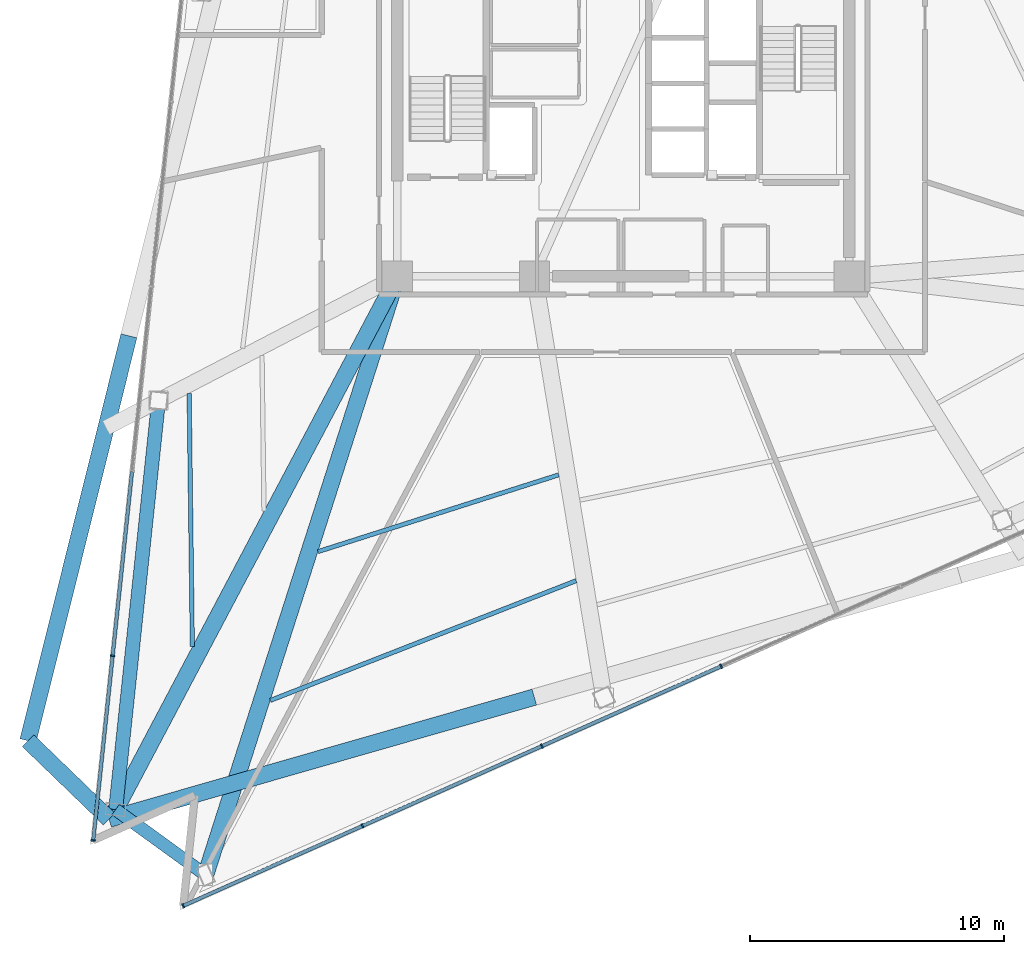
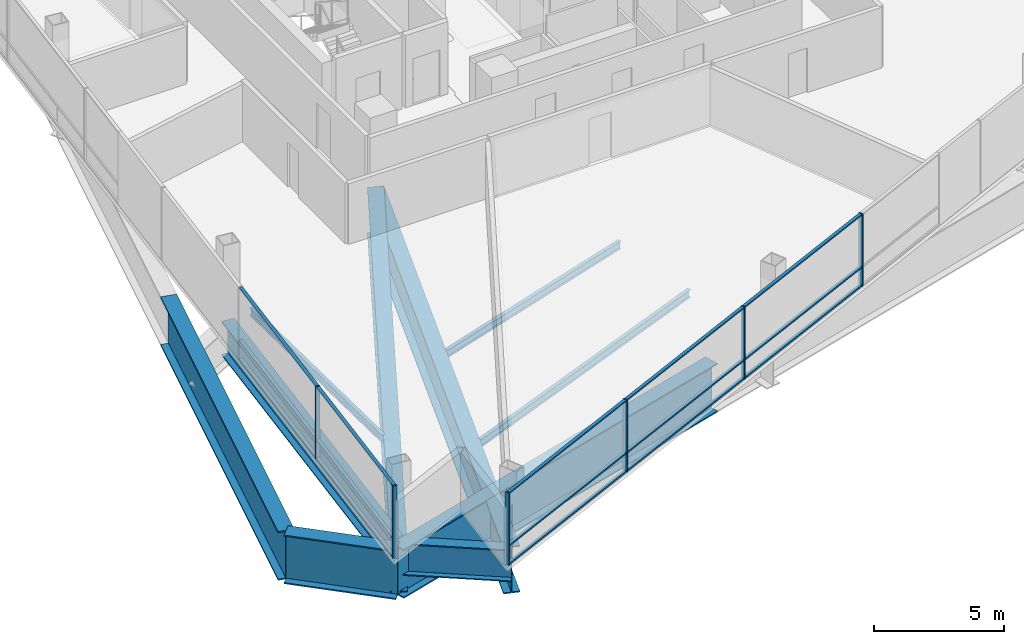
# One storey, part 2 of 17: 21 members, 10 beams, 2 elements without a shape of their own.
"""IFC4 building model written with IfcOpenShell, lengths in metres."""

from ifc_helpers import new_model, si_unit, direction, frame, origin, origin_2d, place, context, subcontext, project, spatial, rectangle, i_section, extrude, material, layer, layer_set, material_profile, profile_set, type_object, element, aggregate, save


model = new_model("IFC4")

# Units and contexts
model_context = context("Model", 3, precision=1e-05, world=origin(), true_north=direction((0.0, 1.0)))
body_context = subcontext(model_context, "Body", "Model", "MODEL_VIEW")
ifc_project = project(units=[si_unit("LENGTHUNIT", "METRE"), si_unit("AREAUNIT", "SQUARE_METRE"), si_unit("VOLUMEUNIT", "CUBIC_METRE"), si_unit("PLANEANGLEUNIT", "RADIAN"), si_unit("MASSUNIT", "GRAM", prefix="KILO")], contexts=[model_context])

# Site, building, storey
site_placement = place(None, origin())
site = spatial("IfcSite", under=ifc_project, at=site_placement, CompositionType="ELEMENT")
building_placement = place(site_placement, origin())
building = spatial("IfcBuilding", under=site, at=building_placement, Name="Tharavind Bronze Gate", CompositionType="ELEMENT")
storey_placement = place(building_placement, frame((0.0, 0.0, 112.449951171875)))
storey = spatial("IfcBuildingStorey", under=building, at=storey_placement, Name="L28", CompositionType="ELEMENT", Elevation=112.449951171875)

# Curtain wall, members
ifc_material_1 = material(Name="Anodised Bronze Aluminium", Category="aluminium")
ifc_layer = layer(ifc_material_1, 0.219970703125)
ifc_layer_set = layer_set([ifc_layer], Name="Anodised Bronze Aluminium")
curtain_wall_type = type_object("IfcCurtainWallType", Name="UNITISED CURTAIN WALL LOWER OFFICE", PredefinedType="USERDEFINED", material=ifc_layer_set)
curtain_wall_1_placement = place(storey_placement, origin())
curtain_wall_1 = element("IfcCurtainWall", 1, at=curtain_wall_1_placement, inside=storey, type_object=curtain_wall_type, Name="L28 unitised curtain wall lower office CW-L28-S1", ObjectType="UNITISED CURTAIN WALL", PredefinedType="USERDEFINED")
member_type_1 = type_object("IfcMemberType", Name="CURTAIN WALL BRONZE MULLION 65X180", PredefinedType="MULLION", material=ifc_material_1)
member_1_placement = place(storey_placement, frame((-20.1142578125, -22.5380859375, 0.0), z_axis=(0.0, 0.0, 1.0), x_axis=(-0.104526727499, -0.994522077803, 0.0)))
member_1 = element("IfcMember", 2, at=member_1_placement, type_object=member_type_1, Name="CW-L28-S1 mullion 7", PredefinedType="MULLION", context=body_context, shape_type="SweptSolid", body=[
    extrude(rectangle(XDim=0.06494140625, YDim=0.179931640625, at=origin_2d()), origin(), (0.0, 0.0, 1.0), 3.409912109375),
])
member_2_placement = place(storey_placement, frame((-20.878662109375, -29.811279296875, 0.0), z_axis=(0.0, 0.0, 1.0), x_axis=(-0.104526727499, -0.994522077803, 0.0)))
member_2 = element("IfcMember", 3, at=member_2_placement, type_object=member_type_1, Name="CW-L28-S1 mullion 8", PredefinedType="MULLION", context=body_context, shape_type="SweptSolid", body=[
    extrude(rectangle(XDim=0.06494140625, YDim=0.179931640625, at=origin_2d()), origin(), (0.0, 0.0, 1.0), 3.409912109375),
])

curtain_wall_2_placement = place(storey_placement, origin())
curtain_wall_2 = element("IfcCurtainWall", 4, at=curtain_wall_2_placement, inside=storey, type_object=curtain_wall_type, Name="L28 unitised curtain wall lower office CW-L28-S2", ObjectType="UNITISED CURTAIN WALL", PredefinedType="USERDEFINED")
member_3_placement = place(storey_placement, frame((-17.335205078125, -32.3857421875, 0.0), z_axis=(0.0, 0.0, 1.0), x_axis=(0.913545457643, 0.406736643076, 0.0)))
member_3 = element("IfcMember", 5, at=member_3_placement, type_object=member_type_1, Name="CW-L28-S2 mullion 1", PredefinedType="MULLION", context=body_context, shape_type="SweptSolid", body=[
    extrude(rectangle(XDim=0.06494140625, YDim=0.179931640625, at=origin_2d()), origin(), (0.0, 0.0, 1.0), 3.409912109375),
])
member_4_placement = place(storey_placement, frame((-10.273193359375, -29.241455078125, 0.0), z_axis=(0.0, 0.0, 1.0), x_axis=(0.913545457643, 0.406736643076, 0.0)))
member_4 = element("IfcMember", 6, at=member_4_placement, type_object=member_type_1, Name="CW-L28-S2 mullion 2", PredefinedType="MULLION", context=body_context, shape_type="SweptSolid", body=[
    extrude(rectangle(XDim=0.06494140625, YDim=0.179931640625, at=origin_2d()), origin(), (0.0, 0.0, 1.0), 3.409912109375),
])
member_5_placement = place(storey_placement, frame((-3.2109375, -26.097412109375, 0.0), z_axis=(0.0, 0.0, 1.0), x_axis=(0.913545457643, 0.406736643076, 0.0)))
member_5 = element("IfcMember", 7, at=member_5_placement, type_object=member_type_1, Name="CW-L28-S2 mullion 3", PredefinedType="MULLION", context=body_context, shape_type="SweptSolid", body=[
    extrude(rectangle(XDim=0.06494140625, YDim=0.179931640625, at=origin_2d()), origin(), (0.0, 0.0, 1.0), 3.409912109375),
])
member_6_placement = place(storey_placement, frame((3.851318359375, -22.952880859375, 0.0), z_axis=(0.0, 0.0, 1.0), x_axis=(0.913545457643, 0.406736643076, 0.0)))
member_6 = element("IfcMember", 8, at=member_6_placement, type_object=member_type_1, Name="CW-L28-S2 mullion 4", PredefinedType="MULLION", context=body_context, shape_type="SweptSolid", body=[
    extrude(rectangle(XDim=0.06494140625, YDim=0.179931640625, at=origin_2d()), origin(), (0.0, 0.0, 1.0), 3.409912109375),
])

# Member
member_type_2 = type_object("IfcMemberType", Name="CURTAIN WALL BRONZE TRANSOM 65X140", PredefinedType="USERDEFINED", material=ifc_material_1)
member_7_placement = place(storey_placement, frame((-19.73193359375, -18.9013671875, 0.0), z_axis=(0.0, 0.0, 1.0), x_axis=(-0.104526727499, -0.994522077803, 0.0)))
member_7 = element("IfcMember", 9, at=member_7_placement, type_object=member_type_2, Name="CW-L28-S1 transom TB6", ObjectType="TRANSOM", PredefinedType="USERDEFINED", context=body_context, shape_type="SweptSolid", body=[
    extrude(rectangle(XDim=7.26025390625, YDim=0.139892578125, at=origin_2d()), origin(), (0.0, 0.0, 1.0), 0.06494140625),
])

member_8_placement = place(storey_placement, frame((-19.73193359375, -18.9013671875, 0.86767578125), z_axis=(0.0, 0.0, 1.0), x_axis=(-0.104526727499, -0.994522077803, 0.0)))
member_8 = element("IfcMember", 10, at=member_8_placement, type_object=member_type_2, Name="CW-L28-S1 transom TS6", ObjectType="TRANSOM", PredefinedType="USERDEFINED", context=body_context, shape_type="SweptSolid", body=[
    extrude(rectangle(XDim=7.26025390625, YDim=0.139892578125, at=origin_2d()), origin(), (0.0, 0.0, 1.0), 0.06494140625),
])

member_9_placement = place(storey_placement, frame((-19.73193359375, -18.9013671875, 3.344970703125), z_axis=(0.0, 0.0, 1.0), x_axis=(-0.104526727499, -0.994522077803, 0.0)))
member_9 = element("IfcMember", 11, at=member_9_placement, type_object=member_type_2, Name="CW-L28-S1 transom TT6", ObjectType="TRANSOM", PredefinedType="USERDEFINED", context=body_context, shape_type="SweptSolid", body=[
    extrude(rectangle(XDim=7.26025390625, YDim=0.139892578125, at=origin_2d()), origin(), (0.0, 0.0, 1.0), 0.06494140625),
])

member_10_placement = place(storey_placement, frame((-20.49658203125, -26.1748046875, 0.0), z_axis=(0.0, 0.0, 1.0), x_axis=(-0.104526727499, -0.994522077803, 0.0)))
member_10 = element("IfcMember", 12, at=member_10_placement, type_object=member_type_2, Name="CW-L28-S1 transom TB7", ObjectType="TRANSOM", PredefinedType="USERDEFINED", context=body_context, shape_type="SweptSolid", body=[
    extrude(rectangle(XDim=7.26025390625, YDim=0.139892578125, at=origin_2d()), origin(), (0.0, 0.0, 1.0), 0.06494140625),
])

member_11_placement = place(storey_placement, frame((-20.49658203125, -26.1748046875, 0.86767578125), z_axis=(0.0, 0.0, 1.0), x_axis=(-0.104526727499, -0.994522077803, 0.0)))
member_11 = element("IfcMember", 13, at=member_11_placement, type_object=member_type_2, Name="CW-L28-S1 transom TS7", ObjectType="TRANSOM", PredefinedType="USERDEFINED", context=body_context, shape_type="SweptSolid", body=[
    extrude(rectangle(XDim=7.26025390625, YDim=0.139892578125, at=origin_2d()), origin(), (0.0, 0.0, 1.0), 0.06494140625),
])

member_12_placement = place(storey_placement, frame((-20.49658203125, -26.1748046875, 3.344970703125), z_axis=(0.0, 0.0, 1.0), x_axis=(-0.104526727499, -0.994522077803, 0.0)))
member_12 = element("IfcMember", 14, at=member_12_placement, type_object=member_type_2, Name="CW-L28-S1 transom TT7", ObjectType="TRANSOM", PredefinedType="USERDEFINED", context=body_context, shape_type="SweptSolid", body=[
    extrude(rectangle(XDim=7.26025390625, YDim=0.139892578125, at=origin_2d()), origin(), (0.0, 0.0, 1.0), 0.06494140625),
])

aggregate(curtain_wall_1, [member_1, member_2, member_7, member_8, member_9, member_10, member_11, member_12])

member_13_placement = place(storey_placement, frame((-13.80419921875, -30.813720703125, 0.0), z_axis=(0.0, 0.0, 1.0), x_axis=(0.913545457643, 0.406736643076, 0.0)))
member_13 = element("IfcMember", 15, at=member_13_placement, type_object=member_type_2, Name="CW-L28-S2 transom TB1", ObjectType="TRANSOM", PredefinedType="USERDEFINED", context=body_context, shape_type="SweptSolid", body=[
    extrude(rectangle(XDim=7.677490234375, YDim=0.139892578125, at=origin_2d()), origin(), (0.0, 0.0, 1.0), 0.06494140625),
])

member_14_placement = place(storey_placement, frame((-13.80419921875, -30.813720703125, 0.86767578125), z_axis=(0.0, 0.0, 1.0), x_axis=(0.913545457643, 0.406736643076, 0.0)))
member_14 = element("IfcMember", 16, at=member_14_placement, type_object=member_type_2, Name="CW-L28-S2 transom TS1", ObjectType="TRANSOM", PredefinedType="USERDEFINED", context=body_context, shape_type="SweptSolid", body=[
    extrude(rectangle(XDim=7.677490234375, YDim=0.139892578125, at=origin_2d()), origin(), (0.0, 0.0, 1.0), 0.06494140625),
])

member_15_placement = place(storey_placement, frame((-13.80419921875, -30.813720703125, 3.344970703125), z_axis=(0.0, 0.0, 1.0), x_axis=(0.913545457643, 0.406736643076, 0.0)))
member_15 = element("IfcMember", 17, at=member_15_placement, type_object=member_type_2, Name="CW-L28-S2 transom TT1", ObjectType="TRANSOM", PredefinedType="USERDEFINED", context=body_context, shape_type="SweptSolid", body=[
    extrude(rectangle(XDim=7.677490234375, YDim=0.139892578125, at=origin_2d()), origin(), (0.0, 0.0, 1.0), 0.06494140625),
])

member_16_placement = place(storey_placement, frame((-6.741943359375, -27.66943359375, 0.0), z_axis=(0.0, 0.0, 1.0), x_axis=(0.913545457643, 0.406736643076, 0.0)))
member_16 = element("IfcMember", 18, at=member_16_placement, type_object=member_type_2, Name="CW-L28-S2 transom TB2", ObjectType="TRANSOM", PredefinedType="USERDEFINED", context=body_context, shape_type="SweptSolid", body=[
    extrude(rectangle(XDim=7.677490234375, YDim=0.139892578125, at=origin_2d()), origin(), (0.0, 0.0, 1.0), 0.06494140625),
])

member_17_placement = place(storey_placement, frame((-6.741943359375, -27.66943359375, 0.86767578125), z_axis=(0.0, 0.0, 1.0), x_axis=(0.913545457643, 0.406736643076, 0.0)))
member_17 = element("IfcMember", 19, at=member_17_placement, type_object=member_type_2, Name="CW-L28-S2 transom TS2", ObjectType="TRANSOM", PredefinedType="USERDEFINED", context=body_context, shape_type="SweptSolid", body=[
    extrude(rectangle(XDim=7.677490234375, YDim=0.139892578125, at=origin_2d()), origin(), (0.0, 0.0, 1.0), 0.06494140625),
])

member_18_placement = place(storey_placement, frame((-6.741943359375, -27.66943359375, 3.344970703125), z_axis=(0.0, 0.0, 1.0), x_axis=(0.913545457643, 0.406736643076, 0.0)))
member_18 = element("IfcMember", 20, at=member_18_placement, type_object=member_type_2, Name="CW-L28-S2 transom TT2", ObjectType="TRANSOM", PredefinedType="USERDEFINED", context=body_context, shape_type="SweptSolid", body=[
    extrude(rectangle(XDim=7.677490234375, YDim=0.139892578125, at=origin_2d()), origin(), (0.0, 0.0, 1.0), 0.06494140625),
])

member_19_placement = place(storey_placement, frame((0.3203125, -24.525146484375, 0.0), z_axis=(0.0, 0.0, 1.0), x_axis=(0.913545457643, 0.406736643076, 0.0)))
member_19 = element("IfcMember", 21, at=member_19_placement, type_object=member_type_2, Name="CW-L28-S2 transom TB3", ObjectType="TRANSOM", PredefinedType="USERDEFINED", context=body_context, shape_type="SweptSolid", body=[
    extrude(rectangle(XDim=7.677490234375, YDim=0.139892578125, at=origin_2d()), origin(), (0.0, 0.0, 1.0), 0.06494140625),
])

member_20_placement = place(storey_placement, frame((0.3203125, -24.525146484375, 0.86767578125), z_axis=(0.0, 0.0, 1.0), x_axis=(0.913545457643, 0.406736643076, 0.0)))
member_20 = element("IfcMember", 22, at=member_20_placement, type_object=member_type_2, Name="CW-L28-S2 transom TS3", ObjectType="TRANSOM", PredefinedType="USERDEFINED", context=body_context, shape_type="SweptSolid", body=[
    extrude(rectangle(XDim=7.677490234375, YDim=0.139892578125, at=origin_2d()), origin(), (0.0, 0.0, 1.0), 0.06494140625),
])

member_21_placement = place(storey_placement, frame((0.3203125, -24.525146484375, 3.344970703125), z_axis=(0.0, 0.0, 1.0), x_axis=(0.913545457643, 0.406736643076, 0.0)))
member_21 = element("IfcMember", 23, at=member_21_placement, type_object=member_type_2, Name="CW-L28-S2 transom TT3", ObjectType="TRANSOM", PredefinedType="USERDEFINED", context=body_context, shape_type="SweptSolid", body=[
    extrude(rectangle(XDim=7.677490234375, YDim=0.139892578125, at=origin_2d()), origin(), (0.0, 0.0, 1.0), 0.06494140625),
])

aggregate(curtain_wall_2, [member_3, member_4, member_5, member_6, member_13, member_14, member_15, member_16, member_17, member_18, member_19, member_20, member_21])

# Beams
ifc_material_2 = material(Name="Steel S355", Category="steel")
ifc_material_profile_1 = material_profile(ifc_material_2, i_section(OverallWidth=0.169921875, OverallDepth=0.360107421875, WebThickness=0.008056640625, FlangeThickness=0.0126953125, at=origin_2d()), Name="IPE360")
ifc_profile_set_1 = profile_set([ifc_material_profile_1], Name="Steel S355")
beam_type_1 = type_object("IfcBeamType", Name="SECONDARY FLOOR JOIST IPE360", PredefinedType="JOIST", material=ifc_profile_set_1)
beam_1_placement = place(storey_placement, frame((-17.100830078125, -12.204833984375, -0.369873046875), z_axis=(0.012553769481, -0.999921198331, 0.0), x_axis=(0.999921198331, 0.012553769481, 0.0)))
element("IfcBeam", 24, at=beam_1_placement, inside=storey, type_object=beam_type_1, Name="L28 secondary floor joist ipe360 BM-L28-JSTB03", PredefinedType="JOIST", context=body_context, shape_type="SweptSolid", body=[
    extrude(i_section(OverallWidth=0.169921875, OverallDepth=0.360107421875, WebThickness=0.008056640625, FlangeThickness=0.0126953125, at=origin_2d()), origin(), (0.0, 0.0, 1.0), 9.9765625),
])
beam_2_placement = place(storey_placement, frame((-12.028564453125, -18.438720703125, -0.369873046875), z_axis=(0.952718749561, 0.30385355722, 0.0), x_axis=(-0.30385355722, 0.952718749561, 0.0)))
element("IfcBeam", 25, at=beam_2_placement, inside=storey, type_object=beam_type_1, Name="L28 secondary floor joist ipe360 BM-L28-JSTA05", PredefinedType="JOIST", context=body_context, shape_type="SweptSolid", body=[
    extrude(i_section(OverallWidth=0.169921875, OverallDepth=0.360107421875, WebThickness=0.008056640625, FlangeThickness=0.0126953125, at=origin_2d()), origin(), (0.0, 0.0, 1.0), 9.95361328125),
])
beam_3_placement = place(storey_placement, frame((-13.906982421875, -24.300048828125, -0.369873046875), z_axis=(0.931177899403, 0.364565110321, 0.0), x_axis=(-0.364565110321, 0.931177899403, 0.0)))
element("IfcBeam", 26, at=beam_3_placement, inside=storey, type_object=beam_type_1, Name="L28 secondary floor joist ipe360 BM-L28-JSTB05", PredefinedType="JOIST", context=body_context, shape_type="SweptSolid", body=[
    extrude(i_section(OverallWidth=0.169921875, OverallDepth=0.360107421875, WebThickness=0.008056640625, FlangeThickness=0.0126953125, at=origin_2d()), origin(), (0.0, 0.0, 1.0), 12.938720703125),
])
ifc_material_3 = material(Name="Steel S460", Category="steel")
ifc_material_profile_2 = material_profile(ifc_material_3, i_section(OverallWidth=0.5, OverallDepth=1.5, WebThickness=0.028076171875, FlangeThickness=0.050048828125, at=origin_2d()), Name="PG1500X500")
ifc_profile_set_2 = profile_set([ifc_material_profile_2], Name="Steel S460")
beam_type_2 = type_object("IfcBeamType", Name="TRANSFER GIRDER 1500X500", PredefinedType="USERDEFINED", material=ifc_profile_set_2)
beam_4_placement = place(storey_placement, frame((-19.9970703125, -28.597900390625, -0.93994140625), z_axis=(0.809018008275, -0.587783856777, 0.0), x_axis=(0.587783856777, 0.809018008275, 0.0)))
element("IfcBeam", 27, at=beam_4_placement, inside=storey, type_object=beam_type_2, Name="L28 transfer girder 1500x500 BM-L28-URG04", ObjectType="TRANSFER GIRDER", PredefinedType="USERDEFINED", context=body_context, shape_type="SweptSolid", body=[
    extrude(i_section(OverallWidth=0.5, OverallDepth=1.5, WebThickness=0.028076171875, FlangeThickness=0.050048828125, at=origin_2d()), origin(), (0.0, 0.0, 1.0), 4.3798828125),
])
ifc_material_profile_3 = material_profile(ifc_material_3, i_section(OverallWidth=0.550048828125, OverallDepth=1.60009765625, WebThickness=0.030029296875, FlangeThickness=0.050048828125, at=origin_2d()), Name="PG1600X550")
ifc_profile_set_3 = profile_set([ifc_material_profile_3], Name="Steel S460")
beam_type_3 = type_object("IfcBeamType", Name="TRANSFER GIRDER 1600X550", PredefinedType="USERDEFINED", material=ifc_profile_set_3)
beam_5_placement = place(storey_placement, frame((-18.303955078125, -12.488037109375, -0.989990234375), z_axis=(-0.104522380175, -0.994522534708, 0.0), x_axis=(0.994522534708, -0.104522380175, 0.0)))
element("IfcBeam", 28, at=beam_5_placement, inside=storey, type_object=beam_type_3, Name="L28 transfer girder 1600x550 BM-L28-URG03", ObjectType="TRANSFER GIRDER", PredefinedType="USERDEFINED", context=body_context, shape_type="SweptSolid", body=[
    extrude(i_section(OverallWidth=0.550048828125, OverallDepth=1.60009765625, WebThickness=0.030029296875, FlangeThickness=0.050048828125, at=origin_2d()), origin(), (0.0, 0.0, 1.0), 16.198486328125),
])
ifc_material_profile_4 = material_profile(ifc_material_3, i_section(OverallWidth=0.64990234375, OverallDepth=2.199951171875, WebThickness=0.035888671875, FlangeThickness=0.054931640625, at=origin_2d()), Name="PG2200X650")
ifc_profile_set_4 = profile_set([ifc_material_profile_4], Name="Steel S460")
beam_type_4 = type_object("IfcBeamType", Name="TRANSFER GIRDER 2200X650", PredefinedType="USERDEFINED", material=ifc_profile_set_4)
beam_6_placement = place(storey_placement, frame((-8.89990234375, -7.60009765625, -1.2900390625), z_axis=(-0.46725302058, -0.884123642235, 0.0), x_axis=(0.884123642235, -0.46725302058, 0.0)))
element("IfcBeam", 29, at=beam_6_placement, inside=storey, type_object=beam_type_4, Name="L28 transfer girder 2200x650 BM-L28-XFR04", ObjectType="TRANSFER GIRDER", PredefinedType="USERDEFINED", context=body_context, shape_type="SweptSolid", body=[
    extrude(i_section(OverallWidth=0.64990234375, OverallDepth=2.199951171875, WebThickness=0.035888671875, FlangeThickness=0.054931640625, at=origin_2d()), origin(), (0.0, 0.0, 1.0), 24.146484375),
])
beam_7_placement = place(storey_placement, frame((-8.89990234375, -7.60009765625, -1.2900390625), z_axis=(-0.305163640021, -0.952299927969, 0.0), x_axis=(0.952299927969, -0.305163640021, 0.0)))
element("IfcBeam", 30, at=beam_7_placement, inside=storey, type_object=beam_type_4, Name="L28 transfer girder 2200x650 BM-L28-XFR05", ObjectType="TRANSFER GIRDER", PredefinedType="USERDEFINED", context=body_context, shape_type="SweptSolid", body=[
    extrude(i_section(OverallWidth=0.64990234375, OverallDepth=2.199951171875, WebThickness=0.035888671875, FlangeThickness=0.054931640625, at=origin_2d()), origin(), (0.0, 0.0, 1.0), 24.7529296875),
])
ifc_material_profile_5 = material_profile(ifc_material_3, i_section(OverallWidth=0.64990234375, OverallDepth=2.300048828125, WebThickness=0.035888671875, FlangeThickness=0.05810546875, at=origin_2d()), Name="PG2300X650")
ifc_profile_set_5 = profile_set([ifc_material_profile_5], Name="Steel S460")
beam_type_5 = type_object("IfcBeamType", Name="TRANSFER GIRDER 2300X650", PredefinedType="USERDEFINED", material=ifc_profile_set_5)
beam_8_placement = place(storey_placement, frame((-19.4716796875, -9.93896484375, -1.33984375), z_axis=(-0.24191686251, -0.970296981152, 0.0), x_axis=(0.970296981152, -0.24191686251, 0.0)))
element("IfcBeam", 31, at=beam_8_placement, inside=storey, type_object=beam_type_5, Name="L28 transfer girder 2300x650 BM-L28-LRG03", ObjectType="TRANSFER GIRDER", PredefinedType="USERDEFINED", context=body_context, shape_type="SweptSolid", body=[
    extrude(i_section(OverallWidth=0.64990234375, OverallDepth=2.300048828125, WebThickness=0.035888671875, FlangeThickness=0.05810546875, at=origin_2d()), origin(), (0.0, 0.0, 1.0), 16.43359375),
])
beam_9_placement = place(storey_placement, frame((-23.447265625, -25.884521484375, -1.33984375), z_axis=(0.719343662261, -0.694654371299, 0.0), x_axis=(0.694654371299, 0.719343662261, 0.0)))
element("IfcBeam", 32, at=beam_9_placement, inside=storey, type_object=beam_type_5, Name="L28 transfer girder 2300x650 BM-L28-LRG04", ObjectType="TRANSFER GIRDER", PredefinedType="USERDEFINED", context=body_context, shape_type="SweptSolid", body=[
    extrude(i_section(OverallWidth=0.64990234375, OverallDepth=2.300048828125, WebThickness=0.035888671875, FlangeThickness=0.05810546875, at=origin_2d()), origin(), (0.0, 0.0, 1.0), 4.43994140625),
])
beam_10_placement = place(storey_placement, frame((-20.25341796875, -28.96875, -1.33984375), z_axis=(0.961261198388, 0.275639090974, 0.0), x_axis=(-0.275639090974, 0.961261198388, 0.0)))
element("IfcBeam", 33, at=beam_10_placement, inside=storey, type_object=beam_type_5, Name="L28 transfer girder 2300x650 BM-L28-LRG05", ObjectType="TRANSFER GIRDER", PredefinedType="USERDEFINED", context=body_context, shape_type="SweptSolid", body=[
    extrude(i_section(OverallWidth=0.64990234375, OverallDepth=2.300048828125, WebThickness=0.035888671875, FlangeThickness=0.05810546875, at=origin_2d()), origin(), (0.0, 0.0, 1.0), 17.42041015625),
])

save(model, "model.ifc")
